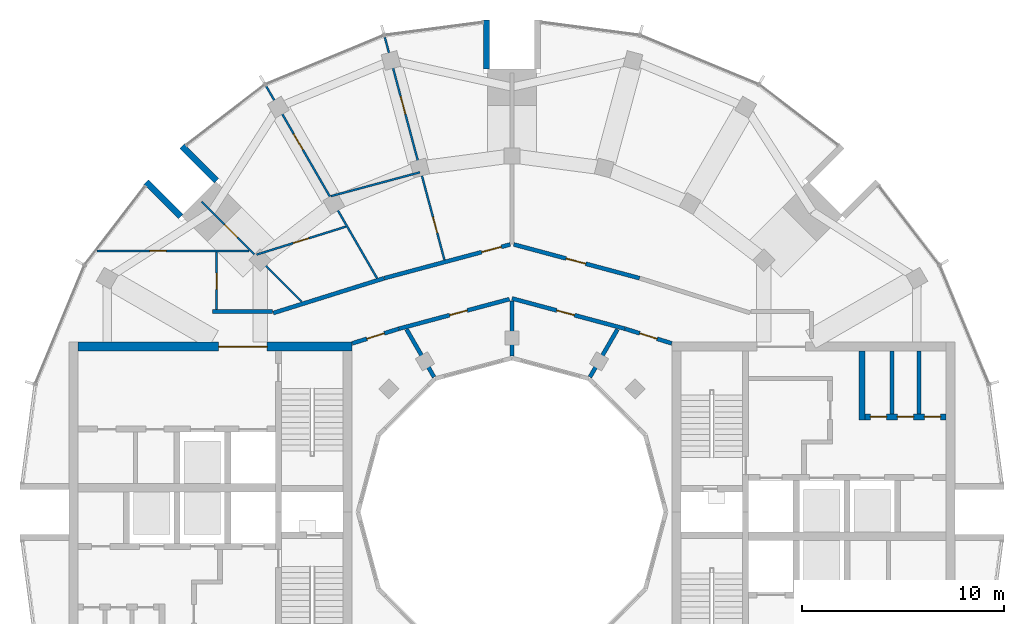
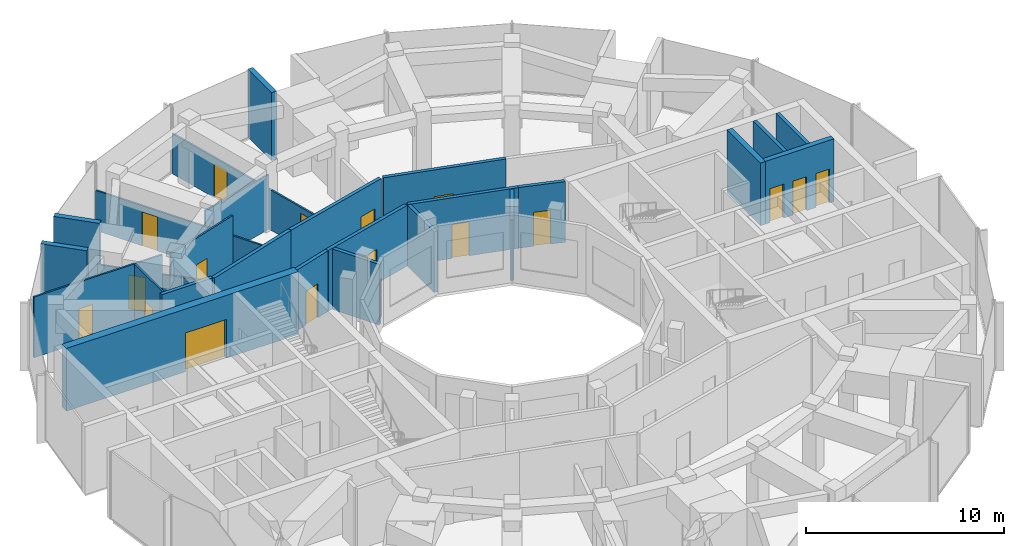
# One storey, part 11 of 14: 26 walls, 17 doors, 17 openings.
"""IFC4 building model written with IfcOpenShell, lengths in metres."""

from ifc_helpers import new_model, si_unit, direction, frame, frame_2d, origin, place, context, subcontext, project, spatial, rectangle, extrude, material, layer, layer_set, type_object, element, fill, save


model = new_model("IFC4")

# Units and contexts
model_context = context("Model", 3, precision=1e-05, world=origin(), true_north=direction((0.0, 1.0)))
body_context = subcontext(model_context, "Body", "Model", "MODEL_VIEW")
ifc_project = project(units=[si_unit("LENGTHUNIT", "METRE"), si_unit("AREAUNIT", "SQUARE_METRE"), si_unit("VOLUMEUNIT", "CUBIC_METRE"), si_unit("PLANEANGLEUNIT", "RADIAN"), si_unit("MASSUNIT", "GRAM", prefix="KILO")], contexts=[model_context])

# Site, building, storey
site_placement = place(None, origin())
site = spatial("IfcSite", under=ifc_project, at=site_placement, CompositionType="ELEMENT")
building_placement = place(site_placement, origin())
building = spatial("IfcBuilding", under=site, at=building_placement, Name="Torre Brocal", CompositionType="ELEMENT")
storey_placement = place(building_placement, frame((0.0, 0.0, 288.300048828125)))
storey = spatial("IfcBuildingStorey", under=building, at=storey_placement, Name="L66", CompositionType="ELEMENT", Elevation=288.300048828125)

# Walls
ifc_material_1 = material(Name="Masonry block", Category="masonry")
ifc_layer_1 = layer(ifc_material_1, 0.199951171875)
ifc_layer_set_1 = layer_set([ifc_layer_1], Name="Masonry block")
wall_type_1 = type_object("IfcWallType", Name="CORE PARTITION 200", PredefinedType="PARTITIONING", material=ifc_layer_set_1)
for number, where, z_axis, x_axis, name in (
    (1, (98.783203125, 79.85009765625, 0.0), (0.0, 0.0, 1.0), (0.0, 1.0, 0.0), "Wall CP200"),
    (2, (100.11669921875, 79.85009765625, 0.0), (0.0, 0.0, 1.0), (0.0, 1.0, 0.0), "Wall CP200"),
):
    element("IfcWall", number, at=place(storey_placement, frame(where, z_axis=z_axis, x_axis=x_axis)), inside=storey, type_object=wall_type_1, Name=name, PredefinedType="PARTITIONING", context=body_context, shape_type="SweptSolid", body=[
        extrude(rectangle(XDim=3.099853515625, YDim=0.199951171875, at=frame_2d((1.5498046875, 0.0))), origin(), (0.0, 0.0, 1.0), 3.8798828125),
    ])
ifc_material_2 = material(Name="Concrete C50", Category="concrete")
ifc_layer_2 = layer(ifc_material_2, 0.300048828125)
ifc_layer_set_2 = layer_set([ifc_layer_2], Name="Concrete C50")
wall_type_2 = type_object("IfcWallType", Name="CORE WALL 300 C50", PredefinedType="SHEAR", material=ifc_layer_set_2)
wall_1_placement = place(storey_placement, frame((97.300048828125, 79.550048828125, 0.0), z_axis=(0.0, 0.0, 1.0), x_axis=(0.0, 1.0, 0.0)))
element("IfcWall", 3, at=wall_1_placement, inside=storey, type_object=wall_type_2, Name="Wall CW300-50", PredefinedType="SHEAR", context=body_context, shape_type="SweptSolid", body=[
    extrude(rectangle(XDim=3.39990234375, YDim=0.300048828125, at=frame_2d((1.699951171875, 0.0))), origin(), (0.0, 0.0, 1.0), 3.8798828125),
])

# Wall, openings, doors
wall_2_placement = place(storey_placement, frame((97.449951171875, 79.699951171875, 0.0), z_axis=(0.0, 0.0, 1.0), x_axis=(1.0, 0.0, 0.0)))
wall_2 = element("IfcWall", 4, at=wall_2_placement, inside=storey, type_object=wall_type_2, Name="Wall CW300-50", PredefinedType="SHEAR", context=body_context, shape_type="SweptSolid", body=[
    extrude(rectangle(XDim=4.0, YDim=0.300048828125, at=frame_2d((2.0, 0.0))), origin(), (0.0, 0.0, 1.0), 3.8798828125),
])
opening_1_placement = place(wall_2_placement, frame((0.2666015625, 0.0, 0.0)))
opening_1 = element("IfcOpeningElement", 5, at=opening_1_placement, cuts=wall_2, Name="Opening E-D29", PredefinedType="OPENING", context=body_context, shape_type="SweptSolid", body=[
    extrude(rectangle(XDim=0.800048828125, YDim=2.10009765625, at=frame_2d((0.39990234375, 1.050048828125))), frame((0.0, 0.159912109375, 0.0), z_axis=(0.0, -1.0, 0.0), x_axis=(1.0, 0.0, 0.0)), (0.0, 0.0, 1.0), 0.320068359375),
])
opening_2_placement = place(wall_2_placement, frame((1.60009765625, 0.0, 0.0)))
opening_2 = element("IfcOpeningElement", 6, at=opening_2_placement, cuts=wall_2, Name="Opening E-D31", PredefinedType="OPENING", context=body_context, shape_type="SweptSolid", body=[
    extrude(rectangle(XDim=0.800048828125, YDim=2.10009765625, at=frame_2d((0.39990234375, 1.050048828125))), frame((0.0, 0.159912109375, 0.0), z_axis=(0.0, -1.0, 0.0), x_axis=(1.0, 0.0, 0.0)), (0.0, 0.0, 1.0), 0.320068359375),
])
opening_3_placement = place(wall_2_placement, frame((2.933349609375, 0.0, 0.0)))
opening_3 = element("IfcOpeningElement", 7, at=opening_3_placement, cuts=wall_2, Name="Opening E-D33", PredefinedType="OPENING", context=body_context, shape_type="SweptSolid", body=[
    extrude(rectangle(XDim=0.800048828125, YDim=2.10009765625, at=frame_2d((0.39990234375, 1.050048828125))), frame((0.0, 0.159912109375, 0.0), z_axis=(0.0, -1.0, 0.0), x_axis=(1.0, 0.0, 0.0)), (0.0, 0.0, 1.0), 0.320068359375),
])
ifc_material_3 = material(Name="Steel A653", Category="steel")
door_type_1 = type_object("IfcDoorType", Name="ROOM DOOR FD30S 800X2100", OperationType="SINGLE_SWING_LEFT", PredefinedType="DOOR", material=ifc_material_3)
door_1_placement = place(opening_1_placement, origin())
door_1 = element("IfcDoor", 8, at=door_1_placement, inside=storey, type_object=door_type_1, Name="Door E-D29", OperationType="SINGLE_SWING_RIGHT", OverallHeight=2.10009765625, OverallWidth=0.800048828125, PredefinedType="DOOR", context=body_context, shape_type="SweptSolid", body=[
    extrude(rectangle(XDim=0.800048828125, YDim=2.10009765625, at=frame_2d((0.39990234375, 1.050048828125))), frame((0.0, 0.02490234375, 0.0), z_axis=(0.0, -1.0, 0.0), x_axis=(1.0, 0.0, 0.0)), (0.0, 0.0, 1.0), 0.050048828125),
])
fill(opening_1, door_1)
door_2_placement = place(opening_2_placement, origin())
door_2 = element("IfcDoor", 9, at=door_2_placement, inside=storey, type_object=door_type_1, Name="Door E-D31", OperationType="SINGLE_SWING_RIGHT", OverallHeight=2.10009765625, OverallWidth=0.800048828125, PredefinedType="DOOR", context=body_context, shape_type="SweptSolid", body=[
    extrude(rectangle(XDim=0.800048828125, YDim=2.10009765625, at=frame_2d((0.39990234375, 1.050048828125))), frame((0.0, 0.02490234375, 0.0), z_axis=(0.0, -1.0, 0.0), x_axis=(1.0, 0.0, 0.0)), (0.0, 0.0, 1.0), 0.050048828125),
])
fill(opening_2, door_2)
door_3_placement = place(opening_3_placement, origin())
door_3 = element("IfcDoor", 10, at=door_3_placement, inside=storey, type_object=door_type_1, Name="Door E-D33", OperationType="SINGLE_SWING_LEFT", OverallHeight=2.10009765625, OverallWidth=0.800048828125, PredefinedType="DOOR", context=body_context, shape_type="SweptSolid", body=[
    extrude(rectangle(XDim=0.800048828125, YDim=2.10009765625, at=frame_2d((0.39990234375, 1.050048828125))), frame((0.0, 0.02490234375, 0.0), z_axis=(0.0, -1.0, 0.0), x_axis=(1.0, 0.0, 0.0)), (0.0, 0.0, 1.0), 0.050048828125),
])
fill(opening_3, door_3)

# Wall, opening, door
ifc_material_4 = material(Name="Concrete C50", Category="concrete")
ifc_layer_3 = layer(ifc_material_4, 0.449951171875)
ifc_layer_set_3 = layer_set([ifc_layer_3], Name="Concrete C50")
wall_type_3 = type_object("IfcWallType", Name="CORE WALL 450 C50", PredefinedType="SHEAR", material=ifc_layer_set_3)
wall_3_placement = place(storey_placement, frame((72.10009765625, 83.175048828125, 0.0), z_axis=(0.0, 0.0, 1.0), x_axis=(-1.0, 0.0, 0.0)))
wall_3 = element("IfcWall", 11, at=wall_3_placement, inside=storey, type_object=wall_type_3, Name="Wall CW450-50", PredefinedType="SHEAR", context=body_context, shape_type="SweptSolid", body=[
    extrude(rectangle(XDim=13.550048828125, YDim=0.449951171875, at=frame_2d((6.77490234375, 0.0))), origin(), (0.0, 0.0, 1.0), 3.8798828125),
])
opening_4_placement = place(wall_3_placement, frame((4.199951171875, 0.0, 0.0)))
opening_4 = element("IfcOpeningElement", 12, at=opening_4_placement, cuts=wall_3, Name="Opening W-D12", PredefinedType="OPENING", context=body_context, shape_type="SweptSolid", body=[
    extrude(rectangle(XDim=2.39990234375, YDim=2.39990234375, at=frame_2d((1.199951171875, 1.199951171875))), frame((0.0, 0.23486328125, 0.0), z_axis=(0.0, -1.0, 0.0), x_axis=(1.0, 0.0, 0.0)), (0.0, 0.0, 1.0), 0.469970703125),
])
ifc_material_5 = material(Name="Steel A653", Category="steel")
door_type_2 = type_object("IfcDoorType", Name="DOUBLE FIRE DOOR FD90 2400X2400", OperationType="DOUBLE_DOOR_SINGLE_SWING", PredefinedType="DOOR", material=ifc_material_5)
door_4_placement = place(opening_4_placement, origin())
door_4 = element("IfcDoor", 13, at=door_4_placement, inside=storey, type_object=door_type_2, Name="Door W-D12", OperationType="DOUBLE_DOOR_SINGLE_SWING", OverallHeight=2.39990234375, OverallWidth=2.39990234375, PredefinedType="DOOR", context=body_context, shape_type="SweptSolid", body=[
    extrude(rectangle(XDim=2.39990234375, YDim=2.39990234375, at=frame_2d((1.199951171875, 1.199951171875))), frame((0.0, 0.02490234375, 0.0), z_axis=(0.0, -1.0, 0.0), x_axis=(1.0, 0.0, 0.0)), (0.0, 0.0, 1.0), 0.050048828125),
])
fill(opening_4, door_4)

# Walls
ifc_material_6 = material(Name="Concrete C50", Category="concrete")
ifc_layer_4 = layer(ifc_material_6, 0.300048828125)
ifc_layer_set_4 = layer_set([ifc_layer_4], Name="Concrete C50")
wall_type_4 = type_object("IfcWallType", Name="NOTCH RETURN WALL 300 C50", PredefinedType="NOTDEFINED", material=ifc_layer_set_4)
wall_4_placement = place(storey_placement, frame((78.75, 96.89990234375, 0.0), z_axis=(0.0, 0.0, 1.0), x_axis=(0.0, 1.0, 0.0)))
element("IfcWall", 14, at=wall_4_placement, inside=storey, type_object=wall_type_4, Name="NOTCH RETURN WALL", PredefinedType="NOTDEFINED", context=body_context, shape_type="SweptSolid", body=[
    extrude(rectangle(XDim=2.415771484375, YDim=0.300048828125, at=frame_2d((1.2080078125, 0.0))), origin(), (0.0, 0.0, 1.0), 4.199951171875),
])
for number, where, z_axis, x_axis, name in (
    (15, (65.398193359375, 91.36962890625, 0.0), (0.0, 0.0, 1.0), (-0.707106781187, 0.707106781187, 0.0), "NOTCH RETURN WALL"),
    (16, (63.63037109375, 89.601806640625, 0.0), (0.0, 0.0, 1.0), (-0.707106781187, 0.707106781187, 0.0), "NOTCH RETURN WALL"),
):
    element("IfcWall", number, at=place(storey_placement, frame(where, z_axis=z_axis, x_axis=x_axis)), inside=storey, type_object=wall_type_4, Name=name, PredefinedType="NOTDEFINED", context=body_context, shape_type="SweptSolid", body=[
        extrude(rectangle(XDim=2.41552734375, YDim=0.300048828125, at=frame_2d((1.207763671875, 0.0))), origin(), (0.0, 0.0, 1.0), 4.199951171875),
    ])

# Wall, opening, door
ifc_material_7 = material(Name="Gypsum board", Category="Gypsum")
ifc_layer_5 = layer(ifc_material_7, 0.10009765625)
ifc_layer_set_5 = layer_set([ifc_layer_5], Name="Gypsum board")
wall_type_5 = type_object("IfcWallType", Name="PARTITION 100", PredefinedType="PARTITIONING", material=ifc_layer_set_5)
wall_5_placement = place(storey_placement, frame((59.486083984375, 87.89990234375, 0.0), z_axis=(0.0, 0.0, 1.0), x_axis=(1.0, 0.0, 0.0)))
wall_5 = element("IfcWall", 17, at=wall_5_placement, inside=storey, type_object=wall_type_5, Name="BATHROOM WALL", PredefinedType="PARTITIONING", context=body_context, shape_type="SweptSolid", body=[
    extrude(rectangle(XDim=7.50390625, YDim=0.10009765625, at=frame_2d((3.751953125, 0.0))), origin(), (0.0, 0.0, 1.0), 3.75),
])
opening_5_placement = place(wall_5_placement, frame((2.6220703125, 0.0, 0.0)))
opening_5 = element("IfcOpeningElement", 18, at=opening_5_placement, cuts=wall_5, Name="Opening N02-D09", PredefinedType="OPENING", context=body_context, shape_type="SweptSolid", body=[
    extrude(rectangle(XDim=0.800048828125, YDim=2.10009765625, at=frame_2d((0.39990234375, 1.050048828125))), frame((0.0, 0.06005859375, 0.0), z_axis=(0.0, -1.0, 0.0), x_axis=(1.0, 0.0, 0.0)), (0.0, 0.0, 1.0), 0.1201171875),
])
ifc_material_8 = material(Name="Timber", Category="wood")
door_type_3 = type_object("IfcDoorType", Name="BATHROOM DOOR 800X2100", OperationType="SINGLE_SWING_LEFT", PredefinedType="DOOR", material=ifc_material_8)
door_5_placement = place(opening_5_placement, origin())
door_5 = element("IfcDoor", 19, at=door_5_placement, inside=storey, type_object=door_type_3, Name="N02-D09", OperationType="SINGLE_SWING_LEFT", OverallHeight=2.10009765625, OverallWidth=0.800048828125, PredefinedType="DOOR", context=body_context, shape_type="SweptSolid", body=[
    extrude(rectangle(XDim=0.800048828125, YDim=2.10009765625, at=frame_2d((0.39990234375, 1.050048828125))), frame((0.0, 0.02490234375, 0.0), z_axis=(0.0, -1.0, 0.0), x_axis=(1.0, 0.0, 0.0)), (0.0, 0.0, 1.0), 0.050048828125),
])
fill(opening_5, door_5)

wall_6_placement = place(storey_placement, frame((65.39990234375, 85.0, 0.0), z_axis=(0.0, 0.0, 1.0), x_axis=(0.0, 1.0, 0.0)))
wall_6 = element("IfcWall", 20, at=wall_6_placement, inside=storey, type_object=wall_type_5, Name="BATHROOM WALL", PredefinedType="PARTITIONING", context=body_context, shape_type="SweptSolid", body=[
    extrude(rectangle(XDim=2.85009765625, YDim=0.10009765625, at=frame_2d((1.425048828125, 0.0))), origin(), (0.0, 0.0, 1.0), 3.75),
])
opening_6_placement = place(wall_6_placement, frame((1.0, 0.0, 0.0)))
opening_6 = element("IfcOpeningElement", 21, at=opening_6_placement, cuts=wall_6, Name="Opening N02-D08", PredefinedType="OPENING", context=body_context, shape_type="SweptSolid", body=[
    extrude(rectangle(XDim=0.800048828125, YDim=2.10009765625, at=frame_2d((0.39990234375, 1.050048828125))), frame((0.0, 0.06005859375, 0.0), z_axis=(0.0, -1.0, 0.0), x_axis=(1.0, 0.0, 0.0)), (0.0, 0.0, 1.0), 0.1201171875),
])
door_6_placement = place(opening_6_placement, frame((0.800048828125, 0.0, 0.0), z_axis=(0.0, 0.0, 1.0), x_axis=(-1.0, 0.0, 0.0)))
door_6 = element("IfcDoor", 22, at=door_6_placement, inside=storey, type_object=door_type_3, Name="N02-D08", OperationType="SINGLE_SWING_RIGHT", OverallHeight=2.10009765625, OverallWidth=0.800048828125, PredefinedType="DOOR", context=body_context, shape_type="SweptSolid", body=[
    extrude(rectangle(XDim=0.800048828125, YDim=2.10009765625, at=frame_2d((0.39990234375, 1.050048828125))), frame((0.0, 0.02490234375, 0.0), z_axis=(0.0, -1.0, 0.0), x_axis=(1.0, 0.0, 0.0)), (0.0, 0.0, 1.0), 0.050048828125),
])
fill(opening_6, door_6)

wall_7_placement = place(storey_placement, frame((67.37939453125, 87.720947265625, 0.0), z_axis=(0.0, 0.0, 1.0), x_axis=(0.954243762736, 0.299029833426, 0.0)))
wall_7 = element("IfcWall", 23, at=wall_7_placement, inside=storey, type_object=wall_type_5, Name="BATHROOM WALL", PredefinedType="PARTITIONING", context=body_context, shape_type="SweptSolid", body=[
    extrude(rectangle(XDim=4.621826171875, YDim=0.10009765625, at=frame_2d((2.31103515625, 0.0))), origin(), (0.0, 0.0, 1.0), 3.75),
])
opening_7_placement = place(wall_7_placement, frame((1.90087890625, 0.0, 0.0)))
opening_7 = element("IfcOpeningElement", 24, at=opening_7_placement, cuts=wall_7, Name="Opening N02-D06", PredefinedType="OPENING", context=body_context, shape_type="SweptSolid", body=[
    extrude(rectangle(XDim=0.800048828125, YDim=2.10009765625, at=frame_2d((0.39990234375, 1.050048828125))), frame((0.0, 0.06005859375, 0.0), z_axis=(0.0, -1.0, 0.0), x_axis=(1.0, 0.0, 0.0)), (0.0, 0.0, 1.0), 0.1201171875),
])
door_7_placement = place(opening_7_placement, frame((0.800048828125, 0.0, 0.0), z_axis=(0.0, 0.0, 1.0), x_axis=(-1.0, 0.0, 0.0)))
door_7 = element("IfcDoor", 25, at=door_7_placement, inside=storey, type_object=door_type_3, Name="N02-D06", OperationType="SINGLE_SWING_RIGHT", OverallHeight=2.10009765625, OverallWidth=0.800048828125, PredefinedType="DOOR", context=body_context, shape_type="SweptSolid", body=[
    extrude(rectangle(XDim=0.800048828125, YDim=2.10009765625, at=frame_2d((0.39990234375, 1.050048828125))), frame((0.0, 0.02490234375, 0.0), z_axis=(0.0, -1.0, 0.0), x_axis=(1.0, 0.0, 0.0)), (0.0, 0.0, 1.0), 0.050048828125),
])
fill(opening_7, door_7)

ifc_material_9 = material(Name="Gypsum board", Category="Gypsum")
ifc_layer_6 = layer(ifc_material_9, 0.10009765625)
ifc_layer_set_6 = layer_set([ifc_layer_6], Name="Gypsum board")
wall_type_6 = type_object("IfcWallType", Name="PARTITION 100 UNDER BEAM 1720", PredefinedType="PARTITIONING", material=ifc_layer_set_6)
wall_8_placement = place(storey_placement, frame((64.655517578125, 90.344482421875, 0.0), z_axis=(0.0, 0.0, 1.0), x_axis=(0.707106781187, -0.707106781187, 0.0)))
wall_8 = element("IfcWall", 26, at=wall_8_placement, inside=storey, type_object=wall_type_6, Name="BATHROOM WALL", PredefinedType="PARTITIONING", context=body_context, shape_type="SweptSolid", body=[
    extrude(rectangle(XDim=6.99951171875, YDim=0.10009765625, at=frame_2d((3.499755859375, 0.0))), origin(), (0.0, 0.0, 1.0), 2.47998046875),
])
opening_8_placement = place(wall_8_placement, frame((1.61328125, 0.0, 0.0)))
opening_8 = element("IfcOpeningElement", 27, at=opening_8_placement, cuts=wall_8, Name="Opening N02-D07", PredefinedType="OPENING", context=body_context, shape_type="SweptSolid", body=[
    extrude(rectangle(XDim=0.89990234375, YDim=2.10009765625, at=frame_2d((0.449951171875, 1.050048828125))), frame((0.0, 0.06005859375, 0.0), z_axis=(0.0, -1.0, 0.0), x_axis=(1.0, 0.0, 0.0)), (0.0, 0.0, 1.0), 0.1201171875),
])
ifc_material_10 = material(Name="Timber", Category="wood")
door_type_4 = type_object("IfcDoorType", Name="ROOM DOOR 900X2100", OperationType="SINGLE_SWING_LEFT", PredefinedType="DOOR", material=ifc_material_10)
door_8_placement = place(opening_8_placement, frame((0.89990234375, 0.0, 0.0), z_axis=(0.0, 0.0, 1.0), x_axis=(-1.0, 0.0, 0.0)))
door_8 = element("IfcDoor", 28, at=door_8_placement, inside=storey, type_object=door_type_4, Name="N02-D07", OperationType="SINGLE_SWING_LEFT", OverallHeight=2.10009765625, OverallWidth=0.89990234375, PredefinedType="DOOR", context=body_context, shape_type="SweptSolid", body=[
    extrude(rectangle(XDim=0.89990234375, YDim=2.10009765625, at=frame_2d((0.449951171875, 1.050048828125))), frame((0.0, 0.02490234375, 0.0), z_axis=(0.0, -1.0, 0.0), x_axis=(1.0, 0.0, 0.0)), (0.0, 0.0, 1.0), 0.050048828125),
])
fill(opening_8, door_8)

wall_9_placement = place(storey_placement, frame((67.85107421875, 96.042236328125, 0.0), z_axis=(0.0, 0.0, 1.0), x_axis=(0.499990581918, -0.866030841248, 0.0)))
wall_9 = element("IfcWall", 29, at=wall_9_placement, inside=storey, type_object=wall_type_6, Name="BATHROOM WALL", PredefinedType="PARTITIONING", context=body_context, shape_type="SweptSolid", body=[
    extrude(rectangle(XDim=10.955810546875, YDim=0.10009765625, at=frame_2d((5.47802734375, 0.0))), origin(), (0.0, 0.0, 1.0), 2.47998046875),
])
opening_9_placement = place(wall_9_placement, frame((2.719970703125, 0.0, 0.0)))
opening_9 = element("IfcOpeningElement", 30, at=opening_9_placement, cuts=wall_9, Name="Opening N02-D05", PredefinedType="OPENING", context=body_context, shape_type="SweptSolid", body=[
    extrude(rectangle(XDim=0.89990234375, YDim=2.10009765625, at=frame_2d((0.449951171875, 1.050048828125))), frame((0.0, 0.06005859375, 0.0), z_axis=(0.0, -1.0, 0.0), x_axis=(1.0, 0.0, 0.0)), (0.0, 0.0, 1.0), 0.1201171875),
])
door_9_placement = place(opening_9_placement, frame((0.89990234375, 0.0, 0.0), z_axis=(0.0, 0.0, 1.0), x_axis=(-1.0, 0.0, 0.0)))
door_9 = element("IfcDoor", 31, at=door_9_placement, inside=storey, type_object=door_type_4, Name="N02-D05", OperationType="SINGLE_SWING_RIGHT", OverallHeight=2.10009765625, OverallWidth=0.89990234375, PredefinedType="DOOR", context=body_context, shape_type="SweptSolid", body=[
    extrude(rectangle(XDim=0.89990234375, YDim=2.10009765625, at=frame_2d((0.449951171875, 1.050048828125))), frame((0.0, 0.02490234375, 0.0), z_axis=(0.0, -1.0, 0.0), x_axis=(1.0, 0.0, 0.0)), (0.0, 0.0, 1.0), 0.050048828125),
])
fill(opening_9, door_9)

# Wall, openings, doors
wall_10_placement = place(storey_placement, frame((73.711181640625, 98.47021484375, 0.0), z_axis=(0.0, 0.0, 1.0), x_axis=(0.258792445142, -0.965932953335, 0.0)))
wall_10 = element("IfcWall", 32, at=wall_10_placement, inside=storey, type_object=wall_type_6, Name="BATHROOM WALL", PredefinedType="PARTITIONING", context=body_context, shape_type="SweptSolid", body=[
    extrude(rectangle(XDim=11.403564453125, YDim=0.10009765625, at=frame_2d((5.70166015625, 0.0))), origin(), (0.0, 0.0, 1.0), 2.47998046875),
])
opening_10_placement = place(wall_10_placement, frame((3.037109375, 0.0, 0.0)))
opening_10 = element("IfcOpeningElement", 33, at=opening_10_placement, cuts=wall_10, Name="Opening N02-D03", PredefinedType="OPENING", context=body_context, shape_type="SweptSolid", body=[
    extrude(rectangle(XDim=0.89990234375, YDim=2.10009765625, at=frame_2d((0.449951171875, 1.050048828125))), frame((0.0, 0.06005859375, 0.0), z_axis=(0.0, -1.0, 0.0), x_axis=(1.0, 0.0, 0.0)), (0.0, 0.0, 1.0), 0.1201171875),
])
opening_11_placement = place(wall_10_placement, frame((9.20458984375, 0.0, 0.0)))
opening_11 = element("IfcOpeningElement", 34, at=opening_11_placement, cuts=wall_10, Name="Opening N02-D04", PredefinedType="OPENING", context=body_context, shape_type="SweptSolid", body=[
    extrude(rectangle(XDim=0.800048828125, YDim=2.10009765625, at=frame_2d((0.39990234375, 1.050048828125))), frame((0.0, 0.06005859375, 0.0), z_axis=(0.0, -1.0, 0.0), x_axis=(1.0, 0.0, 0.0)), (0.0, 0.0, 1.0), 0.1201171875),
])
door_10_placement = place(opening_11_placement, frame((0.800048828125, 0.0, 0.0), z_axis=(0.0, 0.0, 1.0), x_axis=(-1.0, 0.0, 0.0)))
door_10 = element("IfcDoor", 35, at=door_10_placement, inside=storey, type_object=door_type_3, Name="N02-D04", OperationType="SINGLE_SWING_LEFT", OverallHeight=2.10009765625, OverallWidth=0.800048828125, PredefinedType="DOOR", context=body_context, shape_type="SweptSolid", body=[
    extrude(rectangle(XDim=0.800048828125, YDim=2.10009765625, at=frame_2d((0.39990234375, 1.050048828125))), frame((0.0, 0.02490234375, 0.0), z_axis=(0.0, -1.0, 0.0), x_axis=(1.0, 0.0, 0.0)), (0.0, 0.0, 1.0), 0.050048828125),
])
fill(opening_11, door_10)
door_11_placement = place(opening_10_placement, frame((0.89990234375, 0.0, 0.0), z_axis=(0.0, 0.0, 1.0), x_axis=(-1.0, 0.0, 0.0)))
door_11 = element("IfcDoor", 36, at=door_11_placement, inside=storey, type_object=door_type_4, Name="N02-D03", OperationType="SINGLE_SWING_RIGHT", OverallHeight=2.10009765625, OverallWidth=0.89990234375, PredefinedType="DOOR", context=body_context, shape_type="SweptSolid", body=[
    extrude(rectangle(XDim=0.89990234375, YDim=2.10009765625, at=frame_2d((0.449951171875, 1.050048828125))), frame((0.0, 0.02490234375, 0.0), z_axis=(0.0, -1.0, 0.0), x_axis=(1.0, 0.0, 0.0)), (0.0, 0.0, 1.0), 0.050048828125),
])
fill(opening_10, door_11)

# Walls
ifc_material_11 = material(Name="Gypsum board", Category="Gypsum")
ifc_layer_7 = layer(ifc_material_11, 0.10009765625)
ifc_layer_set_7 = layer_set([ifc_layer_7], Name="Gypsum board")
wall_type_7 = type_object("IfcWallType", Name="PARTITION 100 UNDER BEAM 820", PredefinedType="PARTITIONING", material=ifc_layer_set_7)
wall_11_placement = place(storey_placement, frame((71.053955078125, 90.610595703125, 0.0), z_axis=(0.0, 0.0, 1.0), x_axis=(0.965944938819, 0.258747705633, 0.0)))
element("IfcWall", 37, at=wall_11_placement, inside=storey, type_object=wall_type_7, Name="BATHROOM WALL", PredefinedType="PARTITIONING", context=body_context, shape_type="SweptSolid", body=[
    extrude(rectangle(XDim=4.55078125, YDim=0.10009765625, at=frame_2d((2.275390625, 0.0))), origin(), (0.0, 0.0, 1.0), 3.3798828125),
])
ifc_material_12 = material(Name="Gypsum board", Category="Gypsum")
ifc_layer_8 = layer(ifc_material_12, 0.199951171875)
ifc_layer_set_8 = layer_set([ifc_layer_8], Name="Gypsum board")
wall_type_8 = type_object("IfcWallType", Name="PARTITION 200 EI60", PredefinedType="PARTITIONING", material=ifc_layer_set_8)
wall_12_placement = place(storey_placement, frame((65.199951171875, 84.89990234375, 0.0), z_axis=(0.0, 0.0, 1.0), x_axis=(1.0, 0.0, 0.0)))
element("IfcWall", 38, at=wall_12_placement, inside=storey, type_object=wall_type_8, Name="GUESTROOM CORRIDOR WALL", PredefinedType="PARTITIONING", context=body_context, shape_type="SweptSolid", body=[
    extrude(rectangle(XDim=2.969970703125, YDim=0.199951171875, at=frame_2d((1.48486328125, 0.0))), origin(), (0.0, 0.0, 1.0), 3.75),
])
wall_13_placement = place(storey_placement, frame((68.199951171875, 84.833251953125, 0.0), z_axis=(0.0, 0.0, 1.0), x_axis=(0.954191968402, 0.299195065863, 0.0)))
element("IfcWall", 39, at=wall_13_placement, inside=storey, type_object=wall_type_8, Name="GUESTROOM CORRIDOR WALL", PredefinedType="PARTITIONING", context=body_context, shape_type="SweptSolid", body=[
    extrude(rectangle(XDim=5.740478515625, YDim=0.199951171875, at=frame_2d((2.8701171875, 0.0))), origin(), (0.0, 0.0, 1.0), 3.75),
])

# Wall, opening, door
wall_14_placement = place(storey_placement, frame((72.10009765625, 83.33203125, 0.0), z_axis=(0.0, 0.0, 1.0), x_axis=(0.954233106619, 0.299063836383, 0.0)))
wall_14 = element("IfcWall", 40, at=wall_14_placement, inside=storey, type_object=wall_type_8, Name="CORRIDOR WALL", PredefinedType="PARTITIONING", context=body_context, shape_type="SweptSolid", body=[
    extrude(rectangle(XDim=2.4140625, YDim=0.199951171875, at=frame_2d((1.20703125, 0.0))), origin(), (0.0, 0.0, 1.0), 3.75),
])
opening_12_placement = place(wall_14_placement, frame((0.761962890625, 0.0, 0.0)))
opening_12 = element("IfcOpeningElement", 41, at=opening_12_placement, cuts=wall_14, Name="Opening N02-D13", PredefinedType="OPENING", context=body_context, shape_type="SweptSolid", body=[
    extrude(rectangle(XDim=0.89990234375, YDim=2.10009765625, at=frame_2d((0.449951171875, 1.050048828125))), frame((0.0, 0.10986328125, 0.0), z_axis=(0.0, -1.0, 0.0), x_axis=(1.0, 0.0, 0.0)), (0.0, 0.0, 1.0), 0.219970703125),
])
door_12_placement = place(opening_12_placement, frame((0.89990234375, 0.0, 0.0), z_axis=(0.0, 0.0, 1.0), x_axis=(-1.0, 0.0, 0.0)))
door_12 = element("IfcDoor", 42, at=door_12_placement, inside=storey, type_object=door_type_4, Name="N02-D13", OperationType="SINGLE_SWING_RIGHT", OverallHeight=2.10009765625, OverallWidth=0.89990234375, PredefinedType="DOOR", context=body_context, shape_type="SweptSolid", body=[
    extrude(rectangle(XDim=0.89990234375, YDim=2.10009765625, at=frame_2d((0.449951171875, 1.050048828125))), frame((0.0, 0.02490234375, 0.0), z_axis=(0.0, -1.0, 0.0), x_axis=(1.0, 0.0, 0.0)), (0.0, 0.0, 1.0), 0.050048828125),
])
fill(opening_12, door_12)

wall_15_placement = place(storey_placement, frame((73.68701171875, 86.55419921875, 0.0), z_axis=(0.0, 0.0, 1.0), x_axis=(0.96595903825, 0.258695064551, 0.0)))
wall_15 = element("IfcWall", 43, at=wall_15_placement, inside=storey, type_object=wall_type_8, Name="FLAT ENTRANCE WALL", PredefinedType="PARTITIONING", context=body_context, shape_type="SweptSolid", body=[
    extrude(rectangle(XDim=6.44580078125, YDim=0.199951171875, at=frame_2d((3.222900390625, 0.0))), origin(), (0.0, 0.0, 1.0), 3.75),
])
opening_13_placement = place(wall_15_placement, frame((4.98583984375, 0.0, 0.0)))
opening_13 = element("IfcOpeningElement", 44, at=opening_13_placement, cuts=wall_15, Name="Opening N02-D02", PredefinedType="OPENING", context=body_context, shape_type="SweptSolid", body=[
    extrude(rectangle(XDim=1.0, YDim=2.10009765625, at=frame_2d((0.5, 1.050048828125))), frame((0.0, 0.10986328125, 0.0), z_axis=(0.0, -1.0, 0.0), x_axis=(1.0, 0.0, 0.0)), (0.0, 0.0, 1.0), 0.219970703125),
])
ifc_material_13 = material(Name="Timber", Category="wood")
door_type_5 = type_object("IfcDoorType", Name="FLAT ENTRY DOOR FD30S 1000X2100", OperationType="SINGLE_SWING_RIGHT", PredefinedType="DOOR", material=ifc_material_13)
door_13_placement = place(opening_13_placement, origin())
door_13 = element("IfcDoor", 45, at=door_13_placement, inside=storey, type_object=door_type_5, Name="N02-D02", OperationType="SINGLE_SWING_RIGHT", OverallHeight=2.10009765625, OverallWidth=1.0, PredefinedType="DOOR", context=body_context, shape_type="SweptSolid", body=[
    extrude(rectangle(XDim=1.0, YDim=2.10009765625, at=frame_2d((0.5, 1.050048828125))), frame((0.0, 0.02490234375, 0.0), z_axis=(0.0, -1.0, 0.0), x_axis=(1.0, 0.0, 0.0)), (0.0, 0.0, 1.0), 0.050048828125),
])
fill(opening_13, door_13)

wall_16_placement = place(storey_placement, frame((74.4130859375, 84.056884765625, 0.0), z_axis=(0.0, 0.0, 1.0), x_axis=(0.965972135939, 0.258646153246, 0.0)))
wall_16 = element("IfcWall", 46, at=wall_16_placement, inside=storey, type_object=wall_type_8, Name="CORRIDOR WALL", PredefinedType="PARTITIONING", context=body_context, shape_type="SweptSolid", body=[
    extrude(rectangle(XDim=5.654052734375, YDim=0.199951171875, at=frame_2d((2.8271484375, 0.0))), origin(), (0.0, 0.0, 1.0), 3.75),
])
opening_14_placement = place(wall_16_placement, frame((2.5927734375, 0.0, 0.0)))
opening_14 = element("IfcOpeningElement", 47, at=opening_14_placement, cuts=wall_16, Name="Opening N02-D12", PredefinedType="OPENING", context=body_context, shape_type="SweptSolid", body=[
    extrude(rectangle(XDim=0.89990234375, YDim=2.10009765625, at=frame_2d((0.449951171875, 1.050048828125))), frame((0.0, 0.10986328125, 0.0), z_axis=(0.0, -1.0, 0.0), x_axis=(1.0, 0.0, 0.0)), (0.0, 0.0, 1.0), 0.219970703125),
])
door_14_placement = place(opening_14_placement, frame((0.89990234375, 0.0, 0.0), z_axis=(0.0, 0.0, 1.0), x_axis=(-1.0, 0.0, 0.0)))
door_14 = element("IfcDoor", 48, at=door_14_placement, inside=storey, type_object=door_type_4, Name="N02-D12", OperationType="SINGLE_SWING_RIGHT", OverallHeight=2.10009765625, OverallWidth=0.89990234375, PredefinedType="DOOR", context=body_context, shape_type="SweptSolid", body=[
    extrude(rectangle(XDim=0.89990234375, YDim=2.10009765625, at=frame_2d((0.449951171875, 1.050048828125))), frame((0.0, 0.02490234375, 0.0), z_axis=(0.0, -1.0, 0.0), x_axis=(1.0, 0.0, 0.0)), (0.0, 0.0, 1.0), 0.050048828125),
])
fill(opening_14, door_14)

# Walls
wall_17_placement = place(storey_placement, frame((74.787353515625, 84.027099609375, 0.0), z_axis=(0.0, 0.0, 1.0), x_axis=(0.500079107518, -0.86597972622, 0.0)))
element("IfcWall", 49, at=wall_17_placement, inside=storey, type_object=wall_type_8, Name="SERVICE ROOM WALL", PredefinedType="PARTITIONING", context=body_context, shape_type="SweptSolid", body=[
    extrude(rectangle(XDim=2.7255859375, YDim=0.199951171875, at=frame_2d((1.36279296875, 0.0))), origin(), (0.0, 0.0, 1.0), 3.75),
])
wall_18_placement = place(storey_placement, frame((80.0, 82.698974609375, 0.0), z_axis=(0.0, 0.0, 1.0), x_axis=(0.0, 1.0, 0.0)))
element("IfcWall", 50, at=wall_18_placement, inside=storey, type_object=wall_type_8, Name="SERVICE ROOM WALL", PredefinedType="PARTITIONING", context=body_context, shape_type="SweptSolid", body=[
    extrude(rectangle(XDim=2.72509765625, YDim=0.199951171875, at=frame_2d((1.362548828125, 0.0))), origin(), (0.0, 0.0, 1.0), 3.75),
])

# Wall, opening, door
wall_19_placement = place(storey_placement, frame((80.0, 85.553955078125, 0.0), z_axis=(0.0, 0.0, 1.0), x_axis=(0.965928989968, -0.258807237802, 0.0)))
wall_19 = element("IfcWall", 51, at=wall_19_placement, inside=storey, type_object=wall_type_8, Name="CORRIDOR WALL", PredefinedType="PARTITIONING", context=body_context, shape_type="SweptSolid", body=[
    extrude(rectangle(XDim=5.774169921875, YDim=0.199951171875, at=frame_2d((2.88720703125, 0.0))), origin(), (0.0, 0.0, 1.0), 3.75),
])
opening_15_placement = place(wall_19_placement, frame((2.29150390625, 0.0, 0.0)))
opening_15 = element("IfcOpeningElement", 52, at=opening_15_placement, cuts=wall_19, Name="Opening N02-D11", PredefinedType="OPENING", context=body_context, shape_type="SweptSolid", body=[
    extrude(rectangle(XDim=0.89990234375, YDim=2.10009765625, at=frame_2d((0.449951171875, 1.050048828125))), frame((0.0, 0.10986328125, 0.0), z_axis=(0.0, -1.0, 0.0), x_axis=(1.0, 0.0, 0.0)), (0.0, 0.0, 1.0), 0.219970703125),
])
door_15_placement = place(opening_15_placement, frame((0.89990234375, 0.0, 0.0), z_axis=(0.0, 0.0, 1.0), x_axis=(-1.0, 0.0, 0.0)))
door_15 = element("IfcDoor", 53, at=door_15_placement, inside=storey, type_object=door_type_4, Name="N02-D11", OperationType="SINGLE_SWING_LEFT", OverallHeight=2.10009765625, OverallWidth=0.89990234375, PredefinedType="DOOR", context=body_context, shape_type="SweptSolid", body=[
    extrude(rectangle(XDim=0.89990234375, YDim=2.10009765625, at=frame_2d((0.449951171875, 1.050048828125))), frame((0.0, 0.02490234375, 0.0), z_axis=(0.0, -1.0, 0.0), x_axis=(1.0, 0.0, 0.0)), (0.0, 0.0, 1.0), 0.050048828125),
])
fill(opening_15, door_15)

wall_20_placement = place(storey_placement, frame((80.0869140625, 88.222900390625, 0.0), z_axis=(0.0, 0.0, 1.0), x_axis=(0.965852330757, -0.25909317855, 0.0)))
wall_20 = element("IfcWall", 54, at=wall_20_placement, inside=storey, type_object=wall_type_8, Name="FLAT ENTRANCE WALL", PredefinedType="PARTITIONING", context=body_context, shape_type="SweptSolid", body=[
    extrude(rectangle(XDim=6.435791015625, YDim=0.199951171875, at=frame_2d((3.2177734375, 0.0))), origin(), (0.0, 0.0, 1.0), 3.75),
])
opening_16_placement = place(wall_20_placement, frame((2.677978515625, 0.0, 0.0)))
opening_16 = element("IfcOpeningElement", 55, at=opening_16_placement, cuts=wall_20, Name="Opening N02-D01", PredefinedType="OPENING", context=body_context, shape_type="SweptSolid", body=[
    extrude(rectangle(XDim=1.0, YDim=2.10009765625, at=frame_2d((0.5, 1.050048828125))), frame((0.0, 0.10986328125, 0.0), z_axis=(0.0, -1.0, 0.0), x_axis=(1.0, 0.0, 0.0)), (0.0, 0.0, 1.0), 0.219970703125),
])
door_16_placement = place(opening_16_placement, origin())
door_16 = element("IfcDoor", 56, at=door_16_placement, inside=storey, type_object=door_type_5, Name="N02-D01", OperationType="SINGLE_SWING_LEFT", OverallHeight=2.10009765625, OverallWidth=1.0, PredefinedType="DOOR", context=body_context, shape_type="SweptSolid", body=[
    extrude(rectangle(XDim=1.0, YDim=2.10009765625, at=frame_2d((0.5, 1.050048828125))), frame((0.0, 0.02490234375, 0.0), z_axis=(0.0, -1.0, 0.0), x_axis=(1.0, 0.0, 0.0)), (0.0, 0.0, 1.0), 0.050048828125),
])
fill(opening_16, door_16)

# Wall
wall_21_placement = place(storey_placement, frame((83.85009765625, 81.66650390625, 0.0), z_axis=(0.0, 0.0, 1.0), x_axis=(0.500185068774, 0.865918527909, 0.0)))
element("IfcWall", 57, at=wall_21_placement, inside=storey, type_object=wall_type_8, Name="SERVICE ROOM WALL", PredefinedType="PARTITIONING", context=body_context, shape_type="SweptSolid", body=[
    extrude(rectangle(XDim=2.7255859375, YDim=0.199951171875, at=frame_2d((1.36279296875, 0.0))), origin(), (0.0, 0.0, 1.0), 3.75),
])

# Wall, opening, door
wall_22_placement = place(storey_placement, frame((85.5869140625, 84.056884765625, 0.0), z_axis=(0.0, 0.0, 1.0), x_axis=(0.954239513179, -0.299043393987, 0.0)))
wall_22 = element("IfcWall", 58, at=wall_22_placement, inside=storey, type_object=wall_type_8, Name="CORRIDOR WALL", PredefinedType="PARTITIONING", context=body_context, shape_type="SweptSolid", body=[
    extrude(rectangle(XDim=2.423828125, YDim=0.199951171875, at=frame_2d((1.2119140625, 0.0))), origin(), (0.0, 0.0, 1.0), 3.75),
])
opening_17_placement = place(wall_22_placement, frame((0.761962890625, 0.0, 0.0)))
opening_17 = element("IfcOpeningElement", 59, at=opening_17_placement, cuts=wall_22, Name="Opening N02-D10", PredefinedType="OPENING", context=body_context, shape_type="SweptSolid", body=[
    extrude(rectangle(XDim=0.89990234375, YDim=2.10009765625, at=frame_2d((0.449951171875, 1.050048828125))), frame((0.0, 0.10986328125, 0.0), z_axis=(0.0, -1.0, 0.0), x_axis=(1.0, 0.0, 0.0)), (0.0, 0.0, 1.0), 0.219970703125),
])
door_17_placement = place(opening_17_placement, frame((0.89990234375, 0.0, 0.0), z_axis=(0.0, 0.0, 1.0), x_axis=(-1.0, 0.0, 0.0)))
door_17 = element("IfcDoor", 60, at=door_17_placement, inside=storey, type_object=door_type_4, Name="N02-D10", OperationType="SINGLE_SWING_LEFT", OverallHeight=2.10009765625, OverallWidth=0.89990234375, PredefinedType="DOOR", context=body_context, shape_type="SweptSolid", body=[
    extrude(rectangle(XDim=0.89990234375, YDim=2.10009765625, at=frame_2d((0.449951171875, 1.050048828125))), frame((0.0, 0.02490234375, 0.0), z_axis=(0.0, -1.0, 0.0), x_axis=(1.0, 0.0, 0.0)), (0.0, 0.0, 1.0), 0.050048828125),
])
fill(opening_17, door_17)

save(model, "model.ifc")
